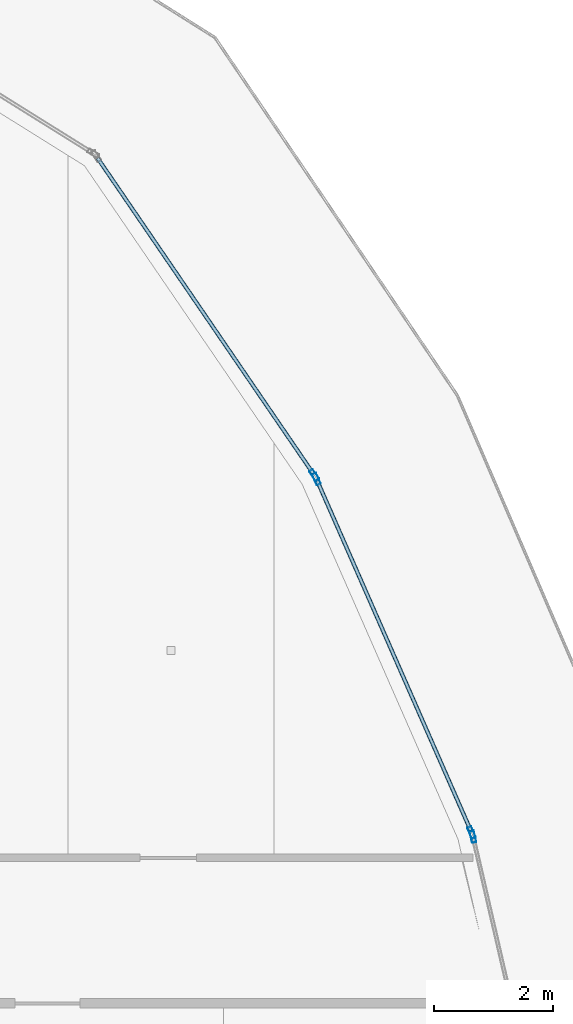
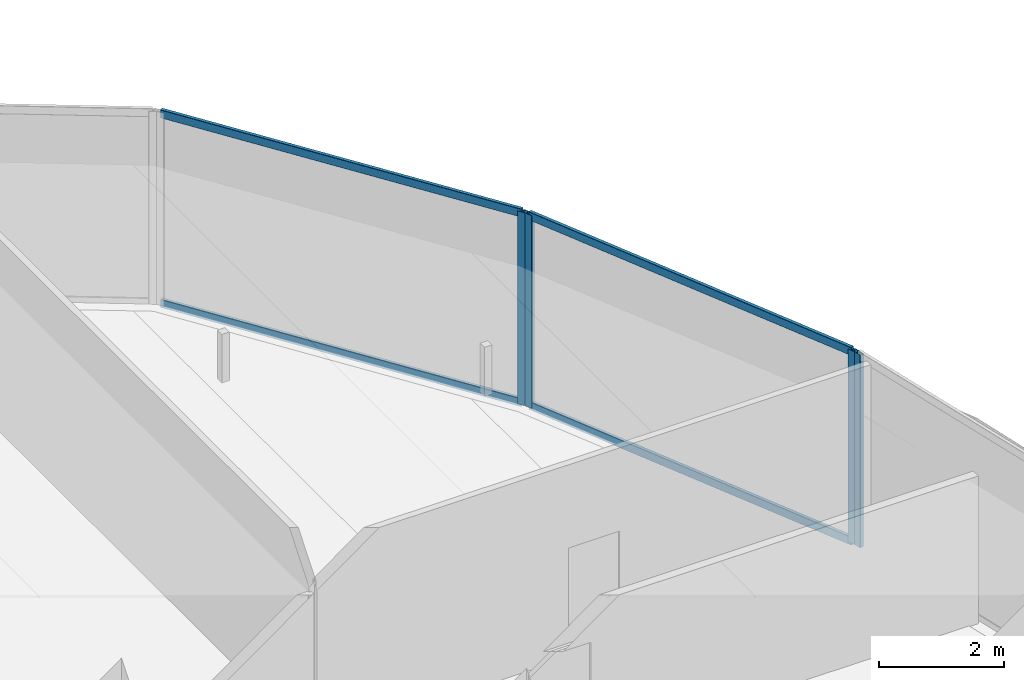
# One storey, part 20 of 38: 8 members, 3 elements without a shape of their own.
"""IFC4 building model written with IfcOpenShell, lengths in metres."""

from ifc_helpers import new_model, si_unit, direction, frame, origin, origin_2d, place, context, subcontext, project, spatial, hollow_rectangle, extrude, material, layer, layer_set, material_profile, profile_set, type_object, element, aggregate, save


model = new_model("IFC4")

# Units and contexts
model_context = context("Model", 3, precision=1e-05, world=origin(), true_north=direction((0.0, 1.0)))
body_context = subcontext(model_context, "Body", "Model", "MODEL_VIEW")
ifc_project = project(units=[si_unit("LENGTHUNIT", "METRE"), si_unit("AREAUNIT", "SQUARE_METRE"), si_unit("VOLUMEUNIT", "CUBIC_METRE"), si_unit("PLANEANGLEUNIT", "RADIAN"), si_unit("MASSUNIT", "GRAM", prefix="KILO")], contexts=[model_context])

# Site, building, storey
site_placement = place(None, origin())
site = spatial("IfcSite", under=ifc_project, at=site_placement, CompositionType="ELEMENT")
building_placement = place(site_placement, origin())
building = spatial("IfcBuilding", under=site, at=building_placement, Name="Qorvath Tower", CompositionType="ELEMENT")
storey_placement = place(building_placement, frame((0.0, 0.0, 158.39990234375)))
storey = spatial("IfcBuildingStorey", under=building, at=storey_placement, Name="L36", CompositionType="ELEMENT", Elevation=158.39990234375)

# Curtain wall, member
ifc_material_1 = material(Name="Anodised aluminium and triple low-E glass", Category="aluminium")
ifc_layer = layer(ifc_material_1, 0.179931640625)
ifc_layer_set = layer_set([ifc_layer], Name="CW-SYS-5")
curtain_wall_type = type_object("IfcCurtainWallType", Name="CW-SYS-5", PredefinedType="NOTDEFINED", material=ifc_layer_set)
curtain_wall_1_placement = place(storey_placement, origin())
curtain_wall_1 = element("IfcCurtainWall", 1, at=curtain_wall_1_placement, inside=storey, type_object=curtain_wall_type, Name="Curtain Wall CW-5 CW-T-L36-11.1", PredefinedType="NOTDEFINED")
ifc_material_2 = material(Name="Anodised aluminium 6063-T6", Category="aluminium")
ifc_material_profile_1 = material_profile(ifc_material_2, hollow_rectangle(XDim=0.074951171875, YDim=0.199951171875, WallThickness=0.00390625, InnerFilletRadius=0.00390625, OuterFilletRadius=0.008056640625, at=origin_2d()), Name="CWM 200x75")
ifc_profile_set_1 = profile_set([ifc_material_profile_1], Name="Anodised aluminium 6063-T6")
member_type_1 = type_object("IfcMemberType", Name="CWM-200", PredefinedType="MULLION", material=ifc_profile_set_1)
member_1_placement = place(storey_placement, frame((1.771240234375, 11.116455078125, 0.0), z_axis=(0.0, 0.0, 1.0), x_axis=(-0.974183272316, -0.225758614319, 0.0)))
member_1 = element("IfcMember", 2, at=member_1_placement, type_object=member_type_1, Name="CW-5 mullion 2", PredefinedType="MULLION", context=body_context, shape_type="SweptSolid", body=[
    extrude(hollow_rectangle(XDim=0.074951171875, YDim=0.199951171875, WallThickness=0.00390625, InnerFilletRadius=0.00390625, OuterFilletRadius=0.008056640625, at=origin_2d()), origin(), (0.0, 0.0, 1.0), 3.780029296875),
])
aggregate(curtain_wall_1, [member_1])

# Curtain wall, members
curtain_wall_2_placement = place(storey_placement, origin())
curtain_wall_2 = element("IfcCurtainWall", 3, at=curtain_wall_2_placement, inside=storey, type_object=curtain_wall_type, Name="Curtain Wall CW-5 CW-T-L36-12.1", PredefinedType="NOTDEFINED")
member_2_placement = place(storey_placement, frame((1.74755859375, 11.1875, 0.0), z_axis=(0.0, 0.0, 1.0), x_axis=(-0.915662747354, -0.401947425802, 0.0)))
member_2 = element("IfcMember", 4, at=member_2_placement, type_object=member_type_1, Name="CW-5 mullion 1", PredefinedType="MULLION", context=body_context, shape_type="SweptSolid", body=[
    extrude(hollow_rectangle(XDim=0.074951171875, YDim=0.199951171875, WallThickness=0.00390625, InnerFilletRadius=0.00390625, OuterFilletRadius=0.008056640625, at=origin_2d()), origin(), (0.0, 0.0, 1.0), 3.780029296875),
])
member_3_placement = place(storey_placement, frame((-0.86328125, 17.13525390625, 0.0), z_axis=(0.0, 0.0, 1.0), x_axis=(-0.915662747354, -0.401947425802, 0.0)))
member_3 = element("IfcMember", 5, at=member_3_placement, type_object=member_type_1, Name="CW-5 mullion 2", PredefinedType="MULLION", context=body_context, shape_type="SweptSolid", body=[
    extrude(hollow_rectangle(XDim=0.074951171875, YDim=0.199951171875, WallThickness=0.00390625, InnerFilletRadius=0.00390625, OuterFilletRadius=0.008056640625, at=origin_2d()), origin(), (0.0, 0.0, 1.0), 3.780029296875),
])

# Curtain wall, member
curtain_wall_3_placement = place(storey_placement, origin())
curtain_wall_3 = element("IfcCurtainWall", 6, at=curtain_wall_3_placement, inside=storey, type_object=curtain_wall_type, Name="Curtain Wall CW-5 CW-T-L36-13.1", PredefinedType="NOTDEFINED")
member_4_placement = place(storey_placement, frame((-0.899658203125, 17.20068359375, 0.0), z_axis=(0.0, 0.0, 1.0), x_axis=(-0.825559911065, -0.564314480802, 0.0)))
member_4 = element("IfcMember", 7, at=member_4_placement, type_object=member_type_1, Name="CW-5 mullion 1", PredefinedType="MULLION", context=body_context, shape_type="SweptSolid", body=[
    extrude(hollow_rectangle(XDim=0.074951171875, YDim=0.199951171875, WallThickness=0.00390625, InnerFilletRadius=0.00390625, OuterFilletRadius=0.008056640625, at=origin_2d()), origin(), (0.0, 0.0, 1.0), 3.780029296875),
])

# Member
ifc_material_3 = material(Name="Anodised aluminium 6063-T6", Category="aluminium")
ifc_material_profile_2 = material_profile(ifc_material_3, hollow_rectangle(XDim=0.06494140625, YDim=0.159912109375, WallThickness=0.00341796875, InnerFilletRadius=0.00341796875, OuterFilletRadius=0.007080078125, at=origin_2d()), Name="CWT 160x65")
ifc_profile_set_2 = profile_set([ifc_material_profile_2], Name="Anodised aluminium 6063-T6")
member_type_2 = type_object("IfcMemberType", Name="CWT-160", PredefinedType="USERDEFINED", material=ifc_profile_set_2)
member_5_placement = place(storey_placement, frame((1.732666015625, 11.2216796875, 0.032470703125), z_axis=(-0.401939522326, 0.915666216693, 0.0), x_axis=(-0.915666216693, -0.401939522326, 0.0)))
member_5 = element("IfcMember", 8, at=member_5_placement, type_object=member_type_2, Name="CW-5 transom 1.1", ObjectType="TRANSOM", PredefinedType="USERDEFINED", context=body_context, shape_type="SweptSolid", body=[
    extrude(hollow_rectangle(XDim=0.06494140625, YDim=0.159912109375, WallThickness=0.00341796875, InnerFilletRadius=0.00341796875, OuterFilletRadius=0.007080078125, at=origin_2d()), origin(), (0.0, 0.0, 1.0), 6.4208984375),
])

member_6_placement = place(storey_placement, frame((1.732666015625, 11.2216796875, 3.74755859375), z_axis=(-0.401939522326, 0.915666216693, 0.0), x_axis=(-0.915666216693, -0.401939522326, 0.0)))
member_6 = element("IfcMember", 9, at=member_6_placement, type_object=member_type_2, Name="CW-5 transom 1.2", ObjectType="TRANSOM", PredefinedType="USERDEFINED", context=body_context, shape_type="SweptSolid", body=[
    extrude(hollow_rectangle(XDim=0.06494140625, YDim=0.159912109375, WallThickness=0.00341796875, InnerFilletRadius=0.00341796875, OuterFilletRadius=0.007080078125, at=origin_2d()), origin(), (0.0, 0.0, 1.0), 6.4208984375),
])

aggregate(curtain_wall_2, [member_2, member_3, member_5, member_6])

member_7_placement = place(storey_placement, frame((-0.920654296875, 17.231689453125, 0.032470703125), z_axis=(-0.564341706119, 0.825541300441, 0.0), x_axis=(-0.825541300441, -0.564341706119, 0.0)))
member_7 = element("IfcMember", 10, at=member_7_placement, type_object=member_type_2, Name="CW-5 transom 1.1", ObjectType="TRANSOM", PredefinedType="USERDEFINED", context=body_context, shape_type="SweptSolid", body=[
    extrude(hollow_rectangle(XDim=0.06494140625, YDim=0.159912109375, WallThickness=0.00341796875, InnerFilletRadius=0.00341796875, OuterFilletRadius=0.007080078125, at=origin_2d()), origin(), (0.0, 0.0, 1.0), 6.42041015625),
])

member_8_placement = place(storey_placement, frame((-0.920654296875, 17.231689453125, 3.74755859375), z_axis=(-0.564341706119, 0.825541300441, 0.0), x_axis=(-0.825541300441, -0.564341706119, 0.0)))
member_8 = element("IfcMember", 11, at=member_8_placement, type_object=member_type_2, Name="CW-5 transom 1.2", ObjectType="TRANSOM", PredefinedType="USERDEFINED", context=body_context, shape_type="SweptSolid", body=[
    extrude(hollow_rectangle(XDim=0.06494140625, YDim=0.159912109375, WallThickness=0.00341796875, InnerFilletRadius=0.00341796875, OuterFilletRadius=0.007080078125, at=origin_2d()), origin(), (0.0, 0.0, 1.0), 6.42041015625),
])

aggregate(curtain_wall_3, [member_4, member_7, member_8])

save(model, "model.ifc")
